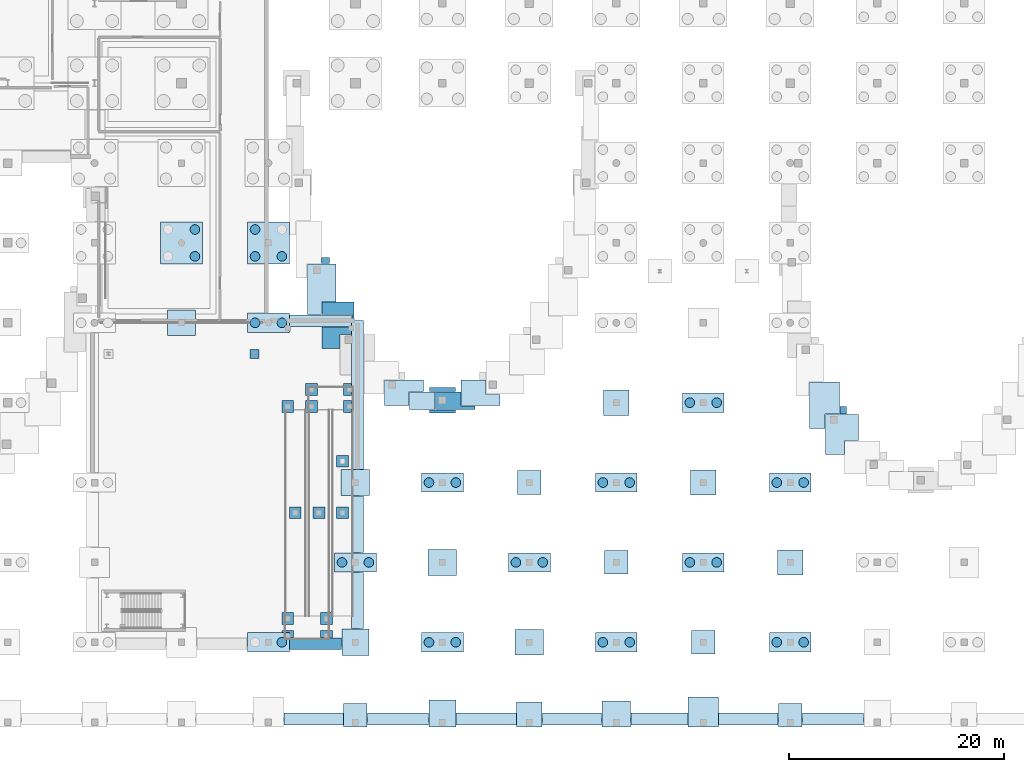
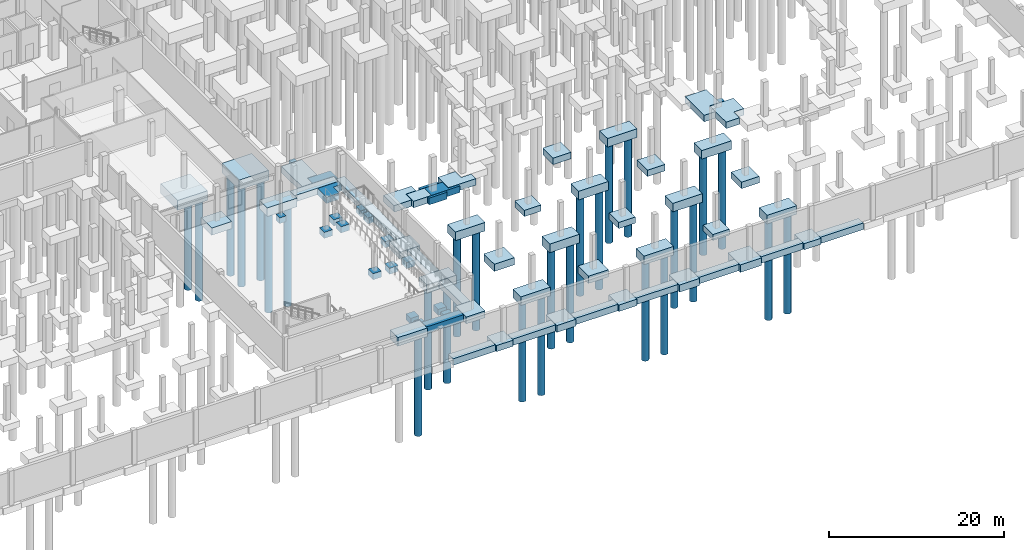
# One storey, part 3 of 37: 70 footings, 28 piles.
"""IFC4 building model written with IfcOpenShell, lengths in metres."""

from ifc_helpers import new_model, si_unit, direction, frame, origin, origin_2d, place, context, subcontext, project, spatial, polyline, rectangle, circle, outline, extrude, material, material_profile, profile_set, type_object, element, save


model = new_model("IFC4")

# Units and contexts
model_context = context("Model", 3, precision=1e-05, world=origin(), true_north=direction((0.0, 1.0)))
body_context = subcontext(model_context, "Body", "Model", "MODEL_VIEW")
ifc_project = project(units=[si_unit("LENGTHUNIT", "METRE"), si_unit("AREAUNIT", "SQUARE_METRE"), si_unit("VOLUMEUNIT", "CUBIC_METRE"), si_unit("PLANEANGLEUNIT", "RADIAN"), si_unit("MASSUNIT", "GRAM", prefix="KILO")], contexts=[model_context])

# Site, building, storey
site_placement = place(None, origin())
site = spatial("IfcSite", under=ifc_project, at=site_placement, CompositionType="ELEMENT")
building_placement = place(site_placement, origin())
building = spatial("IfcBuilding", under=site, at=building_placement, Name="Kaelora Sail Theatre", CompositionType="ELEMENT")
storey_placement = place(building_placement, frame((0.0, 0.0, -4.800048828125)))
storey = spatial("IfcBuildingStorey", under=building, at=storey_placement, Name="B1", CompositionType="ELEMENT", Elevation=-4.800048828125)

# Footings
ifc_material_1 = material(Name="Concrete C40/50", Category="concrete")
footing_type_1 = type_object("IfcFootingType", Name="STR-FTG-PC-2P", PredefinedType="PILE_CAP", material=ifc_material_1)
for number, where, z_axis, x_axis, name in (
    (1, (74.39990234375, 8.93994140625, -1.19970703125), (0.0, 0.0, 1.0), (1.0, 0.0, 0.0), "Foundation 10/B"),
    (2, (74.39990234375, 38.699951171875, -1.19970703125), (0.0, 0.0, 1.0), (1.0, 0.0, 0.0), "Foundation 10/F"),
    (3, (82.5, 16.3798828125, -1.19970703125), (0.0, 0.0, 1.0), (1.0, 0.0, 0.0), "Foundation 11/C"),
    (4, (90.60009765625, 8.93994140625, -1.19970703125), (0.0, 0.0, 1.0), (1.0, 0.0, 0.0), "Foundation 12/B"),
    (5, (90.60009765625, 23.820068359375, -1.19970703125), (0.0, 0.0, 1.0), (1.0, 0.0, 0.0), "Foundation 12/D"),
    (6, (98.699951171875, 16.3798828125, -1.19970703125), (0.0, 0.0, 1.0), (1.0, 0.0, 0.0), "Foundation 13/C"),
    (7, (106.800048828125, 8.93994140625, -1.19970703125), (0.0, 0.0, 1.0), (1.0, 0.0, 0.0), "Foundation 14/B"),
    (8, (106.800048828125, 23.820068359375, -1.19970703125), (0.0, 0.0, 1.0), (1.0, 0.0, 0.0), "Foundation 14/D"),
    (9, (114.89990234375, 16.3798828125, -1.19970703125), (0.0, 0.0, 1.0), (1.0, 0.0, 0.0), "Foundation 15/C"),
    (10, (114.89990234375, 31.260009765625, -1.19970703125), (0.0, 0.0, 1.0), (1.0, 0.0, 0.0), "Foundation 15/E"),
    (11, (123.0, 8.93994140625, -1.19970703125), (0.0, 0.0, 1.0), (1.0, 0.0, 0.0), "Foundation 16/B"),
    (12, (123.0, 23.820068359375, -1.19970703125), (0.0, 0.0, 1.0), (1.0, 0.0, 0.0), "Foundation 16/D"),
):
    element("IfcFooting", number, at=place(storey_placement, frame(where, z_axis=z_axis, x_axis=x_axis)), inside=storey, type_object=footing_type_1, Name=name, PredefinedType="PILE_CAP", context=body_context, shape_type="SweptSolid", body=[
        extrude(rectangle(XDim=3.89990234375, YDim=1.800048828125, at=origin_2d()), origin(), (0.0, 0.0, 1.0), 1.199951171875),
    ])
ifc_material_2 = material(Name="Concrete C40/50", Category="concrete")
footing_type_2 = type_object("IfcFootingType", Name="STR-FTG-PC-4A", PredefinedType="PILE_CAP", material=ifc_material_2)
for number, where, z_axis, x_axis, name in (
    (13, (66.300048828125, 46.139892578125, -1.35009765625), (0.0, 0.0, 1.0), (1.0, 0.0, 0.0), "Foundation 9/G"),
    (14, (74.39990234375, 46.139892578125, -1.35009765625), (0.0, 0.0, 1.0), (1.0, 0.0, 0.0), "Foundation 10/G"),
):
    element("IfcFooting", number, at=place(storey_placement, frame(where, z_axis=z_axis, x_axis=x_axis)), inside=storey, type_object=footing_type_2, Name=name, PredefinedType="PILE_CAP", context=body_context, shape_type="SweptSolid", body=[
        extrude(rectangle(XDim=3.89990234375, YDim=3.89990234375, at=origin_2d()), origin(), (0.0, 0.0, 1.0), 1.35009765625),
    ])
ifc_material_3 = material(Name="Concrete C40/50", Category="concrete")
footing_type_3 = type_object("IfcFootingType", Name="STR-FTG-PF-1A", PredefinedType="PAD_FOOTING", material=ifc_material_3)
for number, where, z_axis, x_axis, name in (
    (15, (82.5, 2.14990234375, -0.85009765625), (0.0, 0.0, 1.0), (1.0, 0.0, 0.0), "Foundation 11/A"),
    (16, (98.699951171875, 23.820068359375, -0.85009765625), (0.0, 0.0, 1.0), (1.0, 0.0, 0.0), "Foundation 13/D"),
    (17, (106.800048828125, 16.3798828125, -0.85009765625), (0.0, 0.0, 1.0), (1.0, 0.0, 0.0), "Foundation 14/C"),
    (18, (114.89990234375, 8.93994140625, -0.85009765625), (0.0, 0.0, 1.0), (1.0, 0.0, 0.0), "Foundation 15/B"),
    (19, (123.0, 2.14990234375, -0.85009765625), (0.0, 0.0, 1.0), (1.0, 0.0, 0.0), "Foundation 16/A"),
):
    element("IfcFooting", number, at=place(storey_placement, frame(where, z_axis=z_axis, x_axis=x_axis)), inside=storey, type_object=footing_type_3, Name=name, PredefinedType="PAD_FOOTING", context=body_context, shape_type="SweptSolid", body=[
        extrude(rectangle(XDim=2.199951171875, YDim=2.199951171875, at=origin_2d()), origin(), (0.0, 0.0, 1.0), 0.85009765625),
    ])
ifc_material_4 = material(Name="Concrete C40/50", Category="concrete")
footing_type_4 = type_object("IfcFootingType", Name="STR-FTG-PF-1B", PredefinedType="PAD_FOOTING", material=ifc_material_4)
for number, where, z_axis, x_axis, name in (
    (20, (82.5, 8.93994140625, -0.94970703125), (0.0, 0.0, 1.0), (1.0, 0.0, 0.0), "Foundation 11/B"),
    (21, (90.60009765625, 2.300048828125, -0.94970703125), (0.0, 0.0, 1.0), (1.0, 0.0, 0.0), "Foundation 12/A"),
):
    element("IfcFooting", number, at=place(storey_placement, frame(where, z_axis=z_axis, x_axis=x_axis)), inside=storey, type_object=footing_type_4, Name=name, PredefinedType="PAD_FOOTING", context=body_context, shape_type="SweptSolid", body=[
        extrude(rectangle(XDim=2.5, YDim=2.5, at=origin_2d()), origin(), (0.0, 0.0, 1.0), 0.949951171875),
    ])
footing_1_placement = place(storey_placement, frame((0.0, 0.0, -0.949951171875)))
element("IfcFooting", 22, at=footing_1_placement, inside=storey, type_object=footing_type_4, Name="Studio Theatre drum pier pad K10", PredefinedType="PAD_FOOTING", context=body_context, shape_type="SweptSolid", body=[
    extrude(outline(polyline([(91.800048828125, 30.580078125), (91.800048828125, 30.280029296875), (89.39990234375, 30.280029296875), (89.39990234375, 30.580078125), (91.800048828125, 30.580078125)])), origin(), (0.0, 0.0, 1.0), 0.949951171875),
])
footing_2_placement = place(storey_placement, frame((0.0, 0.0, -0.949951171875)))
element("IfcFooting", 23, at=footing_2_placement, inside=storey, type_object=footing_type_4, Name="Studio Theatre drum pier pad K10", PredefinedType="PAD_FOOTING", context=body_context, shape_type="SweptSolid", body=[
    extrude(outline(polyline([(91.800048828125, 32.306396484375), (89.39990234375, 32.306396484375), (89.39990234375, 32.679931640625), (91.800048828125, 32.679931640625), (91.800048828125, 32.306396484375)])), origin(), (0.0, 0.0, 1.0), 0.949951171875),
])
footing_3_placement = place(storey_placement, frame((0.0, 0.0, -0.949951171875)))
element("IfcFooting", 24, at=footing_3_placement, inside=storey, type_object=footing_type_4, Name="Studio Theatre drum pier pad K16", PredefinedType="PAD_FOOTING", context=body_context, shape_type="SweptSolid", body=[
    extrude(outline(polyline([(79.354736328125, 44.20751953125), (79.354736328125, 44.8046875), (80.080810546875, 44.8046875), (80.080810546875, 44.20751953125), (79.354736328125, 44.20751953125)])), origin(), (0.0, 0.0, 1.0), 0.949951171875),
])
footing_4_placement = place(storey_placement, frame((0.0, 0.0, -0.949951171875)))
element("IfcFooting", 25, at=footing_4_placement, inside=storey, type_object=footing_type_4, Name="Black-Box Theatre drum pier pad K14", PredefinedType="PAD_FOOTING", context=body_context, shape_type="SweptSolid", body=[
    extrude(outline(polyline([(127.618408203125, 30.8828125), (128.266357421875, 30.8828125), (128.266357421875, 30.18359375), (127.618408203125, 30.18359375), (127.618408203125, 30.8828125)])), origin(), (0.0, 0.0, 1.0), 0.949951171875),
])
ifc_material_5 = material(Name="Concrete C40/50", Category="concrete")
footing_type_5 = type_object("IfcFootingType", Name="STR-FTG-PF-1D", PredefinedType="PAD_FOOTING", material=ifc_material_5)
for number, where, z_axis, x_axis, name in (
    (26, (98.699951171875, 2.22509765625, -0.89990234375), (0.0, 0.0, 1.0), (1.0, 0.0, 0.0), "Foundation 13/A"),
    (27, (106.800048828125, 31.260009765625, -0.89990234375), (0.0, 0.0, 1.0), (1.0, 0.0, 0.0), "Foundation 14/E"),
    (28, (114.89990234375, 23.820068359375, -0.89990234375), (0.0, 0.0, 1.0), (1.0, 0.0, 0.0), "Foundation 15/D"),
    (29, (123.0, 16.3798828125, -0.89990234375), (0.0, 0.0, 1.0), (1.0, 0.0, 0.0), "Foundation 16/C"),
):
    element("IfcFooting", number, at=place(storey_placement, frame(where, z_axis=z_axis, x_axis=x_axis)), inside=storey, type_object=footing_type_5, Name=name, PredefinedType="PAD_FOOTING", context=body_context, shape_type="SweptSolid", body=[
        extrude(rectangle(XDim=2.35009765625, YDim=2.35009765625, at=origin_2d()), origin(), (0.0, 0.0, 1.0), 0.89990234375),
    ])
ifc_material_6 = material(Name="Concrete C40/50", Category="concrete")
footing_type_6 = type_object("IfcFootingType", Name="STR-FTG-PF-1E", PredefinedType="PAD_FOOTING", material=ifc_material_6)
for number, where, z_axis, x_axis, name in (
    (30, (66.300048828125, 38.699951171875, -1.0), (0.0, 0.0, 1.0), (1.0, 0.0, 0.0), "Foundation 9/F"),
    (31, (82.5, 23.820068359375, -1.0), (0.0, 0.0, 1.0), (1.0, 0.0, 0.0), "Foundation 11/D"),
    (32, (90.60009765625, 16.3798828125, -1.0), (0.0, 0.0, 1.0), (1.0, 0.0, 0.0), "Foundation 12/C"),
    (33, (98.699951171875, 8.93994140625, -1.0), (0.0, 0.0, 1.0), (1.0, 0.0, 0.0), "Foundation 13/B"),
    (34, (106.800048828125, 2.25, -1.0), (0.0, 0.0, 1.0), (1.0, 0.0, 0.0), "Foundation 14/A"),
):
    element("IfcFooting", number, at=place(storey_placement, frame(where, z_axis=z_axis, x_axis=x_axis)), inside=storey, type_object=footing_type_6, Name=name, PredefinedType="PAD_FOOTING", context=body_context, shape_type="SweptSolid", body=[
        extrude(rectangle(XDim=2.64990234375, YDim=2.39990234375, at=origin_2d()), origin(), (0.0, 0.0, 1.0), 1.0),
    ])
ifc_material_7 = material(Name="Concrete C40/50", Category="concrete")
footing_type_7 = type_object("IfcFootingType", Name="STR-FTG-PF-1F", PredefinedType="PAD_FOOTING", material=ifc_material_7)
footing_5_placement = place(storey_placement, frame((114.89990234375, 2.449951171875, -1.0498046875), z_axis=(0.0, 0.0, 1.0), x_axis=(1.0, 0.0, 0.0)))
element("IfcFooting", 35, at=footing_5_placement, inside=storey, type_object=footing_type_7, Name="Foundation 15/A", PredefinedType="PAD_FOOTING", context=body_context, shape_type="SweptSolid", body=[
    extrude(rectangle(XDim=2.800048828125, YDim=2.800048828125, at=origin_2d()), origin(), (0.0, 0.0, 1.0), 1.050048828125),
])
ifc_material_8 = material(Name="Concrete C40/50", Category="concrete")
footing_type_8 = type_object("IfcFootingType", Name="STR-FTG-PF-APR", PredefinedType="PAD_FOOTING", material=ifc_material_8)
footing_6_placement = place(storey_placement, frame((0.0, 0.0, -0.849853515625)))
element("IfcFooting", 36, at=footing_6_placement, inside=storey, type_object=footing_type_8, Name="Plaza ramp/bridge foundation RL1-SW", PredefinedType="PAD_FOOTING", context=body_context, shape_type="SweptSolid", body=[
    extrude(outline(polyline([(77.85009765625, 31.449951171875), (78.949951171875, 31.449951171875), (78.949951171875, 30.35009765625), (77.85009765625, 30.35009765625), (77.85009765625, 31.449951171875)])), origin(), (0.0, 0.0, 1.0), 0.849853515625),
])
footing_7_placement = place(storey_placement, frame((0.0, 0.0, -0.849853515625)))
element("IfcFooting", 37, at=footing_7_placement, inside=storey, type_object=footing_type_8, Name="Plaza ramp/bridge foundation RL1-SE", PredefinedType="PAD_FOOTING", context=body_context, shape_type="SweptSolid", body=[
    extrude(outline(polyline([(82.1201171875, 31.449951171875), (82.1201171875, 30.35009765625), (81.39990234375, 30.35009765625), (81.39990234375, 31.449951171875), (82.1201171875, 31.449951171875)])), origin(), (0.0, 0.0, 1.0), 0.849853515625),
])
footing_8_placement = place(storey_placement, frame((0.0, 0.0, -0.849853515625)))
element("IfcFooting", 38, at=footing_8_placement, inside=storey, type_object=footing_type_8, Name="Plaza ramp/bridge foundation RL1-NW", PredefinedType="PAD_FOOTING", context=body_context, shape_type="SweptSolid", body=[
    extrude(outline(polyline([(78.949951171875, 31.949951171875), (77.85009765625, 31.949951171875), (77.85009765625, 33.050048828125), (78.949951171875, 33.050048828125), (78.949951171875, 31.949951171875)])), origin(), (0.0, 0.0, 1.0), 0.849853515625),
])
footing_9_placement = place(storey_placement, frame((0.0, 0.0, -0.849853515625)))
element("IfcFooting", 39, at=footing_9_placement, inside=storey, type_object=footing_type_8, Name="Plaza ramp/bridge foundation RL1-NE", PredefinedType="PAD_FOOTING", context=body_context, shape_type="SweptSolid", body=[
    extrude(outline(polyline([(81.39990234375, 31.949951171875), (81.39990234375, 33.050048828125), (82.1201171875, 33.050048828125), (82.1201171875, 31.949951171875), (81.39990234375, 31.949951171875)])), origin(), (0.0, 0.0, 1.0), 0.849853515625),
])
footing_10_placement = place(storey_placement, frame((0.0, 0.0, -0.849853515625)))
element("IfcFooting", 40, at=footing_10_placement, inside=storey, type_object=footing_type_8, Name="Plaza ramp/bridge foundation RF1-Q3", PredefinedType="PAD_FOOTING", context=body_context, shape_type="SweptSolid", body=[
    extrude(outline(polyline([(80.75, 26.35009765625), (81.85009765625, 26.35009765625), (81.85009765625, 25.25), (80.75, 25.25), (80.75, 26.35009765625)])), origin(), (0.0, 0.0, 1.0), 0.849853515625),
])
footing_11_placement = place(storey_placement, frame((0.0, 0.0, -0.849853515625)))
element("IfcFooting", 41, at=footing_11_placement, inside=storey, type_object=footing_type_8, Name="Plaza ramp/bridge foundation RL2-SW", PredefinedType="PAD_FOOTING", context=body_context, shape_type="SweptSolid", body=[
    extrude(outline(polyline([(75.64990234375, 9.8701171875), (75.64990234375, 10.050048828125), (76.75, 10.050048828125), (76.75, 9.3798828125), (76.3798828125, 9.3798828125), (76.3798828125, 9.8701171875), (75.64990234375, 9.8701171875)])), origin(), (0.0, 0.0, 1.0), 0.849853515625),
])
footing_12_placement = place(storey_placement, frame((0.0, 0.0, -0.849853515625)))
element("IfcFooting", 42, at=footing_12_placement, inside=storey, type_object=footing_type_8, Name="Plaza ramp/bridge foundation RL2-SE", PredefinedType="PAD_FOOTING", context=body_context, shape_type="SweptSolid", body=[
    extrude(outline(polyline([(80.35009765625, 9.3798828125), (79.25, 9.3798828125), (79.25, 10.050048828125), (80.35009765625, 10.050048828125), (80.35009765625, 9.3798828125)])), origin(), (0.0, 0.0, 1.0), 0.849853515625),
])
footing_13_placement = place(storey_placement, frame((0.0, 0.0, -0.849853515625)))
element("IfcFooting", 43, at=footing_13_placement, inside=storey, type_object=footing_type_8, Name="Plaza ramp/bridge foundation RL2-NW", PredefinedType="PAD_FOOTING", context=body_context, shape_type="SweptSolid", body=[
    extrude(outline(polyline([(75.64990234375, 10.60009765625), (75.64990234375, 11.699951171875), (76.75, 11.699951171875), (76.75, 10.60009765625), (75.64990234375, 10.60009765625)])), origin(), (0.0, 0.0, 1.0), 0.849853515625),
])
footing_14_placement = place(storey_placement, frame((0.0, 0.0, -0.849853515625)))
element("IfcFooting", 44, at=footing_14_placement, inside=storey, type_object=footing_type_8, Name="Plaza ramp/bridge foundation RL2-NE", PredefinedType="PAD_FOOTING", context=body_context, shape_type="SweptSolid", body=[
    extrude(outline(polyline([(79.25, 11.699951171875), (80.35009765625, 11.699951171875), (80.35009765625, 10.60009765625), (79.25, 10.60009765625), (79.25, 11.699951171875)])), origin(), (0.0, 0.0, 1.0), 0.849853515625),
])
footing_15_placement = place(storey_placement, frame((0.0, 0.0, -0.849853515625)))
element("IfcFooting", 45, at=footing_15_placement, inside=storey, type_object=footing_type_8, Name="Plaza ramp/bridge foundation RMID-F1", PredefinedType="PAD_FOOTING", context=body_context, shape_type="SweptSolid", body=[
    extrude(outline(polyline([(81.85009765625, 21.550048828125), (81.85009765625, 20.449951171875), (80.75, 20.449951171875), (80.75, 21.550048828125), (81.85009765625, 21.550048828125)])), origin(), (0.0, 0.0, 1.0), 0.849853515625),
])
footing_16_placement = place(storey_placement, frame((0.0, 0.0, -0.849853515625)))
element("IfcFooting", 46, at=footing_16_placement, inside=storey, type_object=footing_type_8, Name="Plaza ramp/bridge foundation RMID-F2", PredefinedType="PAD_FOOTING", context=body_context, shape_type="SweptSolid", body=[
    extrude(outline(polyline([(79.64990234375, 20.449951171875), (78.550048828125, 20.449951171875), (78.550048828125, 21.550048828125), (79.64990234375, 21.550048828125), (79.64990234375, 20.449951171875)])), origin(), (0.0, 0.0, 1.0), 0.849853515625),
])
footing_17_placement = place(storey_placement, frame((0.0, 0.0, -0.849853515625)))
element("IfcFooting", 47, at=footing_17_placement, inside=storey, type_object=footing_type_8, Name="Plaza ramp/bridge foundation RMID-F3", PredefinedType="PAD_FOOTING", context=body_context, shape_type="SweptSolid", body=[
    extrude(outline(polyline([(76.35009765625, 20.449951171875), (76.35009765625, 21.550048828125), (77.449951171875, 21.550048828125), (77.449951171875, 20.449951171875), (76.35009765625, 20.449951171875)])), origin(), (0.0, 0.0, 1.0), 0.849853515625),
])
footing_18_placement = place(storey_placement, frame((0.0, 0.0, -0.849853515625)))
element("IfcFooting", 48, at=footing_18_placement, inside=storey, type_object=footing_type_8, Name="Plaza ramp/bridge foundation RL3-W1", PredefinedType="PAD_FOOTING", context=body_context, shape_type="SweptSolid", body=[
    extrude(outline(polyline([(75.64990234375, 31.449951171875), (76.75, 31.449951171875), (76.75, 30.35009765625), (75.64990234375, 30.35009765625), (75.64990234375, 31.449951171875)])), origin(), (0.0, 0.0, 1.0), 0.849853515625),
])
footing_19_placement = place(storey_placement, frame((73.10009765625, 35.800048828125, -0.7998046875), z_axis=(0.0, 0.0, 1.0), x_axis=(1.0, 0.0, 0.0)))
element("IfcFooting", 49, at=footing_19_placement, inside=storey, type_object=footing_type_8, Name="Entrance canopy colonnade footing E", PredefinedType="PAD_FOOTING", context=body_context, shape_type="SweptSolid", body=[
    extrude(rectangle(XDim=0.85009765625, YDim=0.85009765625, at=origin_2d()), origin(), (0.0, 0.0, 1.0), 0.800048828125),
])
ifc_material_9 = material(Name="Concrete C40/50", Category="concrete")
footing_type_9 = type_object("IfcFootingType", Name="STR-GB-SF-DRM", PredefinedType="STRIP_FOOTING", material=ifc_material_9)
footing_20_placement = place(storey_placement, frame((0.0, 0.0, -0.89990234375)))
element("IfcFooting", 50, at=footing_20_placement, inside=storey, type_object=footing_type_9, Name="Perimeter plinth strip footing SF-PL-SC", PredefinedType="STRIP_FOOTING", context=body_context, shape_type="SweptSolid", body=[
    extrude(outline(polyline([(75.830078125, 1.25), (75.830078125, 2.35009765625), (81.3701171875, 2.35009765625), (81.3701171875, 1.25), (75.830078125, 1.25)])), origin(), (0.0, 0.0, 1.0), 0.89990234375),
])
footing_21_placement = place(storey_placement, frame((0.0, 0.0, -0.89990234375)))
element("IfcFooting", 51, at=footing_21_placement, inside=storey, type_object=footing_type_9, Name="Perimeter plinth strip footing SF-PL-SE", PredefinedType="STRIP_FOOTING", context=body_context, shape_type="SweptSolid", body=[
    extrude(outline(polyline([(124.1298828125, 1.25), (124.1298828125, 2.35009765625), (129.820068359375, 2.35009765625), (129.820068359375, 1.25), (124.1298828125, 1.25)])), origin(), (0.0, 0.0, 1.0), 0.89990234375),
])
footing_22_placement = place(storey_placement, frame((0.0, 0.0, -0.89990234375)))
element("IfcFooting", 52, at=footing_22_placement, inside=storey, type_object=footing_type_9, Name="Perimeter plinth strip footing SF-PL-SE", PredefinedType="STRIP_FOOTING", context=body_context, shape_type="SweptSolid", body=[
    extrude(outline(polyline([(121.8701171875, 1.25), (116.330078125, 1.25), (116.330078125, 2.35009765625), (121.8701171875, 2.35009765625), (121.8701171875, 1.25)])), origin(), (0.0, 0.0, 1.0), 0.89990234375),
])
footing_23_placement = place(storey_placement, frame((0.0, 0.0, -0.89990234375)))
element("IfcFooting", 53, at=footing_23_placement, inside=storey, type_object=footing_type_9, Name="Perimeter plinth strip footing SF-PL-SE", PredefinedType="STRIP_FOOTING", context=body_context, shape_type="SweptSolid", body=[
    extrude(outline(polyline([(113.469970703125, 1.25), (108.155029296875, 1.25), (108.155029296875, 2.35009765625), (113.469970703125, 2.35009765625), (113.469970703125, 1.25)])), origin(), (0.0, 0.0, 1.0), 0.89990234375),
])
footing_24_placement = place(storey_placement, frame((0.0, 0.0, -0.89990234375)))
element("IfcFooting", 54, at=footing_24_placement, inside=storey, type_object=footing_type_9, Name="Perimeter plinth strip footing SF-PL-SE", PredefinedType="STRIP_FOOTING", context=body_context, shape_type="SweptSolid", body=[
    extrude(outline(polyline([(105.445068359375, 1.25), (99.905029296875, 1.25), (99.905029296875, 2.35009765625), (105.445068359375, 2.35009765625), (105.445068359375, 1.25)])), origin(), (0.0, 0.0, 1.0), 0.89990234375),
])
footing_25_placement = place(storey_placement, frame((0.0, 0.0, -0.89990234375)))
element("IfcFooting", 55, at=footing_25_placement, inside=storey, type_object=footing_type_9, Name="Perimeter plinth strip footing SF-PL-SE", PredefinedType="STRIP_FOOTING", context=body_context, shape_type="SweptSolid", body=[
    extrude(outline(polyline([(97.4951171875, 1.25), (91.8798828125, 1.25), (91.8798828125, 2.35009765625), (97.4951171875, 2.35009765625), (97.4951171875, 1.25)])), origin(), (0.0, 0.0, 1.0), 0.89990234375),
])
footing_26_placement = place(storey_placement, frame((0.0, 0.0, -0.89990234375)))
element("IfcFooting", 56, at=footing_26_placement, inside=storey, type_object=footing_type_9, Name="Perimeter plinth strip footing SF-PL-SE", PredefinedType="STRIP_FOOTING", context=body_context, shape_type="SweptSolid", body=[
    extrude(outline(polyline([(89.320068359375, 1.25), (83.6298828125, 1.25), (83.6298828125, 2.35009765625), (89.320068359375, 2.35009765625), (89.320068359375, 1.25)])), origin(), (0.0, 0.0, 1.0), 0.89990234375),
])
footing_27_placement = place(storey_placement, frame((0.0, 0.0, -0.89990234375)))
element("IfcFooting", 57, at=footing_27_placement, inside=storey, type_object=footing_type_9, Name="Perimeter plinth strip footing SF-CT-S", PredefinedType="STRIP_FOOTING", context=body_context, shape_type="SweptSolid", body=[
    extrude(outline(polyline([(81.219970703125, 9.35009765625), (81.219970703125, 8.25), (76.3798828125, 8.25), (76.3798828125, 9.35009765625), (81.219970703125, 9.35009765625)])), origin(), (0.0, 0.0, 1.0), 0.89990234375),
])
footing_28_placement = place(storey_placement, frame((0.0, 0.0, -0.89990234375)))
element("IfcFooting", 58, at=footing_28_placement, inside=storey, type_object=footing_type_9, Name="Perimeter plinth strip footing SF-CT-E", PredefinedType="STRIP_FOOTING", context=body_context, shape_type="SweptSolid", body=[
    extrude(outline(polyline([(82.14990234375, 38.89990234375), (83.25, 38.89990234375), (83.25, 25.050048828125), (82.14990234375, 25.050048828125), (82.14990234375, 38.89990234375)])), origin(), (0.0, 0.0, 1.0), 0.89990234375),
])
footing_29_placement = place(storey_placement, frame((0.0, 0.0, -0.89990234375)))
element("IfcFooting", 59, at=footing_29_placement, inside=storey, type_object=footing_type_9, Name="Perimeter plinth strip footing SF-CT-E", PredefinedType="STRIP_FOOTING", context=body_context, shape_type="SweptSolid", body=[
    extrude(outline(polyline([(82.14990234375, 22.590087890625), (83.25, 22.590087890625), (83.25, 17.31005859375), (82.14990234375, 17.31005859375), (82.14990234375, 22.590087890625)])), origin(), (0.0, 0.0, 1.0), 0.89990234375),
])
footing_30_placement = place(storey_placement, frame((0.0, 0.0, -0.89990234375)))
element("IfcFooting", 60, at=footing_30_placement, inside=storey, type_object=footing_type_9, Name="Perimeter plinth strip footing SF-CT-E", PredefinedType="STRIP_FOOTING", context=body_context, shape_type="SweptSolid", body=[
    extrude(outline(polyline([(83.25, 15.449951171875), (83.25, 10.219970703125), (82.14990234375, 10.219970703125), (82.14990234375, 15.449951171875), (83.25, 15.449951171875)])), origin(), (0.0, 0.0, 1.0), 0.89990234375),
])
footing_31_placement = place(storey_placement, frame((0.0, 0.0, -0.89990234375)))
element("IfcFooting", 61, at=footing_31_placement, inside=storey, type_object=footing_type_9, Name="Perimeter plinth strip footing SF-CT-NE", PredefinedType="STRIP_FOOTING", context=body_context, shape_type="SweptSolid", body=[
    extrude(outline(polyline([(82.1201171875, 38.35009765625), (76.3798828125, 38.35009765625), (76.3798828125, 39.449951171875), (82.14990234375, 39.449951171875), (82.14990234375, 38.929931640625), (82.1201171875, 38.929931640625), (82.1201171875, 38.35009765625)])), origin(), (0.0, 0.0, 1.0), 0.89990234375),
])
footing_32_placement = place(storey_placement, frame((0.0, 0.0, -0.89990234375)))
element("IfcFooting", 62, at=footing_32_placement, inside=storey, type_object=footing_type_9, Name="Studio Theatre Sail Drum chord strip footing 09", PredefinedType="STRIP_FOOTING", context=body_context, shape_type="SweptSolid", body=[
    extrude(outline(polyline([(94.65478515625, 33.36669921875), (94.65478515625, 32.03662109375), (95.984619140625, 32.03662109375), (95.984619140625, 30.976318359375), (92.35595703125, 30.976318359375), (92.35595703125, 33.36669921875), (94.65478515625, 33.36669921875)])), origin(), (0.0, 0.0, 1.0), 0.89990234375),
])
footing_33_placement = place(storey_placement, frame((0.0, 0.0, -0.89990234375)))
element("IfcFooting", 63, at=footing_33_placement, inside=storey, type_object=footing_type_9, Name="Studio Theatre Sail Drum chord strip footing 10", PredefinedType="STRIP_FOOTING", context=body_context, shape_type="SweptSolid", body=[
    extrude(outline(polyline([(93.656005859375, 30.610107421875), (89.949951171875, 30.610107421875), (89.949951171875, 32.2763671875), (92.325927734375, 32.2763671875), (92.325927734375, 30.9462890625), (93.656005859375, 30.9462890625), (93.656005859375, 30.610107421875)])), origin(), (0.0, 0.0, 1.0), 0.89990234375),
])
footing_34_placement = place(storey_placement, frame((0.0, 0.0, -0.89990234375)))
element("IfcFooting", 64, at=footing_34_placement, inside=storey, type_object=footing_type_9, Name="Studio Theatre Sail Drum chord strip footing 11", PredefinedType="STRIP_FOOTING", context=body_context, shape_type="SweptSolid", body=[
    extrude(outline(polyline([(87.5439453125, 30.610107421875), (87.5439453125, 32.2763671875), (89.919921875, 32.2763671875), (89.919921875, 30.610107421875), (87.5439453125, 30.610107421875)])), origin(), (0.0, 0.0, 1.0), 0.89990234375),
])
footing_35_placement = place(storey_placement, frame((0.0, 0.0, -0.89990234375)))
element("IfcFooting", 65, at=footing_35_placement, inside=storey, type_object=footing_type_9, Name="Studio Theatre Sail Drum chord strip footing 12", PredefinedType="STRIP_FOOTING", context=body_context, shape_type="SweptSolid", body=[
    extrude(outline(polyline([(85.21533203125, 33.36669921875), (88.843994140625, 33.36669921875), (88.843994140625, 32.306396484375), (87.513916015625, 32.306396484375), (87.513916015625, 30.976318359375), (85.21533203125, 30.976318359375), (85.21533203125, 33.36669921875)])), origin(), (0.0, 0.0, 1.0), 0.89990234375),
])
footing_36_placement = place(storey_placement, frame((0.0, 0.0, -0.89990234375)))
element("IfcFooting", 66, at=footing_36_placement, inside=storey, type_object=footing_type_9, Name="Studio Theatre Sail Drum chord strip footing 15", PredefinedType="STRIP_FOOTING", context=body_context, shape_type="SweptSolid", body=[
    extrude(outline(polyline([(82.1201171875, 37.623779296875), (81.047607421875, 37.623779296875), (81.047607421875, 36.293701171875), (79.391845703125, 36.293701171875), (79.391845703125, 38.320068359375), (82.1201171875, 38.320068359375), (82.1201171875, 37.623779296875)])), origin(), (0.0, 0.0, 1.0), 0.89990234375),
])
footing_37_placement = place(storey_placement, frame((0.0, 0.0, -0.89990234375)))
element("IfcFooting", 67, at=footing_37_placement, inside=storey, type_object=footing_type_9, Name="Studio Theatre Sail Drum chord strip footing 15", PredefinedType="STRIP_FOOTING", context=body_context, shape_type="SweptSolid", body=[
    extrude(outline(polyline([(82.377685546875, 38.929931640625), (82.179931640625, 38.929931640625), (82.179931640625, 39.47998046875), (79.391845703125, 39.47998046875), (79.391845703125, 40.62646484375), (82.377685546875, 40.62646484375), (82.377685546875, 38.929931640625)])), origin(), (0.0, 0.0, 1.0), 0.89990234375),
])
footing_38_placement = place(storey_placement, frame((0.0, 0.0, -0.89990234375)))
element("IfcFooting", 68, at=footing_38_placement, inside=storey, type_object=footing_type_9, Name="Studio Theatre Sail Drum chord strip footing 16", PredefinedType="STRIP_FOOTING", context=body_context, shape_type="SweptSolid", body=[
    extrude(outline(polyline([(80.69189453125, 40.656494140625), (79.36181640625, 40.656494140625), (79.36181640625, 39.47998046875), (78.024658203125, 39.47998046875), (78.024658203125, 44.177490234375), (80.69189453125, 44.177490234375), (80.69189453125, 40.656494140625)])), origin(), (0.0, 0.0, 1.0), 0.89990234375),
])
footing_39_placement = place(storey_placement, frame((0.0, 0.0, -0.89990234375)))
element("IfcFooting", 69, at=footing_39_placement, inside=storey, type_object=footing_type_9, Name="Black-Box and Experimental Sail Wing chord strip footing 14", PredefinedType="STRIP_FOOTING", context=body_context, shape_type="SweptSolid", body=[
    extrude(outline(polyline([(126.28857421875, 30.15380859375), (129.373779296875, 30.15380859375), (129.373779296875, 27.74365234375), (128.0439453125, 27.74365234375), (128.0439453125, 26.41357421875), (126.28857421875, 26.41357421875), (126.28857421875, 30.15380859375)])), origin(), (0.0, 0.0, 1.0), 0.89990234375),
])
footing_40_placement = place(storey_placement, frame((0.0, 0.0, -0.89990234375)))
element("IfcFooting", 70, at=footing_40_placement, inside=storey, type_object=footing_type_9, Name="Black-Box and Experimental Sail Wing chord strip footing 15", PredefinedType="STRIP_FOOTING", context=body_context, shape_type="SweptSolid", body=[
    extrude(outline(polyline([(127.58837890625, 33.1865234375), (127.58837890625, 30.18359375), (126.258544921875, 30.18359375), (126.258544921875, 28.853759765625), (124.78369140625, 28.853759765625), (124.78369140625, 33.1865234375), (127.58837890625, 33.1865234375)])), origin(), (0.0, 0.0, 1.0), 0.89990234375),
])

# Piles
ifc_material_10 = material(Name="Concrete C40/50", Category="concrete")
ifc_material_profile = material_profile(ifc_material_10, circle(Radius=0.449951171875, at=origin_2d()), Name="PILE D900")
ifc_profile_set = profile_set([ifc_material_profile], Name="Concrete C40/50")
pile_type = type_object("IfcPileType", Name="STR-PILE-PL-900", PredefinedType="BORED", material=ifc_profile_set)
for number, where, z_axis, x_axis, name in (
    (71, (67.550048828125, 44.889892578125, -1.25), (0.0, 0.0, -1.0), (1.0, 0.0, 0.0), "Bored pile 9/G P2"),
    (72, (67.550048828125, 47.389892578125, -1.25), (0.0, 0.0, -1.0), (1.0, 0.0, 0.0), "Bored pile 9/G P4"),
    (73, (75.64990234375, 8.93994140625, -1.099853515625), (0.0, 0.0, -1.0), (1.0, 0.0, 0.0), "Bored pile 10/B P2"),
    (74, (73.14990234375, 38.699951171875, -1.099853515625), (0.0, 0.0, -1.0), (1.0, 0.0, 0.0), "Bored pile 10/F P1"),
    (75, (75.64990234375, 38.699951171875, -1.099853515625), (0.0, 0.0, -1.0), (1.0, 0.0, 0.0), "Bored pile 10/F P2"),
    (76, (73.14990234375, 44.889892578125, -1.25), (0.0, 0.0, -1.0), (1.0, 0.0, 0.0), "Bored pile 10/G P1"),
    (77, (75.64990234375, 44.889892578125, -1.25), (0.0, 0.0, -1.0), (1.0, 0.0, 0.0), "Bored pile 10/G P2"),
    (78, (73.14990234375, 47.389892578125, -1.25), (0.0, 0.0, -1.0), (1.0, 0.0, 0.0), "Bored pile 10/G P3"),
    (79, (81.25, 16.3798828125, -1.099853515625), (0.0, 0.0, -1.0), (1.0, 0.0, 0.0), "Bored pile 11/C P1"),
    (80, (83.75, 16.3798828125, -1.099853515625), (0.0, 0.0, -1.0), (1.0, 0.0, 0.0), "Bored pile 11/C P2"),
    (81, (89.35009765625, 8.93994140625, -1.099853515625), (0.0, 0.0, -1.0), (1.0, 0.0, 0.0), "Bored pile 12/B P1"),
    (82, (91.85009765625, 8.93994140625, -1.099853515625), (0.0, 0.0, -1.0), (1.0, 0.0, 0.0), "Bored pile 12/B P2"),
    (83, (89.35009765625, 23.820068359375, -1.099853515625), (0.0, 0.0, -1.0), (1.0, 0.0, 0.0), "Bored pile 12/D P1"),
    (84, (91.85009765625, 23.820068359375, -1.099853515625), (0.0, 0.0, -1.0), (1.0, 0.0, 0.0), "Bored pile 12/D P2"),
    (85, (97.449951171875, 16.3798828125, -1.099853515625), (0.0, 0.0, -1.0), (1.0, 0.0, 0.0), "Bored pile 13/C P1"),
    (86, (99.949951171875, 16.3798828125, -1.099853515625), (0.0, 0.0, -1.0), (1.0, 0.0, 0.0), "Bored pile 13/C P2"),
    (87, (105.550048828125, 8.93994140625, -1.099853515625), (0.0, 0.0, -1.0), (1.0, 0.0, 0.0), "Bored pile 14/B P1"),
    (88, (108.050048828125, 8.93994140625, -1.099853515625), (0.0, 0.0, -1.0), (1.0, 0.0, 0.0), "Bored pile 14/B P2"),
    (89, (105.550048828125, 23.820068359375, -1.099853515625), (0.0, 0.0, -1.0), (1.0, 0.0, 0.0), "Bored pile 14/D P1"),
    (90, (108.050048828125, 23.820068359375, -1.099853515625), (0.0, 0.0, -1.0), (1.0, 0.0, 0.0), "Bored pile 14/D P2"),
    (91, (113.64990234375, 16.3798828125, -1.099853515625), (0.0, 0.0, -1.0), (1.0, 0.0, 0.0), "Bored pile 15/C P1"),
    (92, (116.14990234375, 16.3798828125, -1.099853515625), (0.0, 0.0, -1.0), (1.0, 0.0, 0.0), "Bored pile 15/C P2"),
    (93, (113.64990234375, 31.260009765625, -1.099853515625), (0.0, 0.0, -1.0), (1.0, 0.0, 0.0), "Bored pile 15/E P1"),
    (94, (116.14990234375, 31.260009765625, -1.099853515625), (0.0, 0.0, -1.0), (1.0, 0.0, 0.0), "Bored pile 15/E P2"),
    (95, (121.75, 8.93994140625, -1.099853515625), (0.0, 0.0, -1.0), (1.0, 0.0, 0.0), "Bored pile 16/B P1"),
    (96, (124.25, 8.93994140625, -1.099853515625), (0.0, 0.0, -1.0), (1.0, 0.0, 0.0), "Bored pile 16/B P2"),
    (97, (121.75, 23.820068359375, -1.099853515625), (0.0, 0.0, -1.0), (1.0, 0.0, 0.0), "Bored pile 16/D P1"),
    (98, (124.25, 23.820068359375, -1.099853515625), (0.0, 0.0, -1.0), (1.0, 0.0, 0.0), "Bored pile 16/D P2"),
):
    element("IfcPile", number, at=place(storey_placement, frame(where, z_axis=z_axis, x_axis=x_axis)), inside=storey, type_object=pile_type, Name=name, PredefinedType="BORED", context=body_context, shape_type="SweptSolid", body=[
        extrude(circle(Radius=0.449951171875, at=origin_2d()), origin(), (0.0, 0.0, 1.0), 14.0),
    ])

save(model, "model.ifc")
